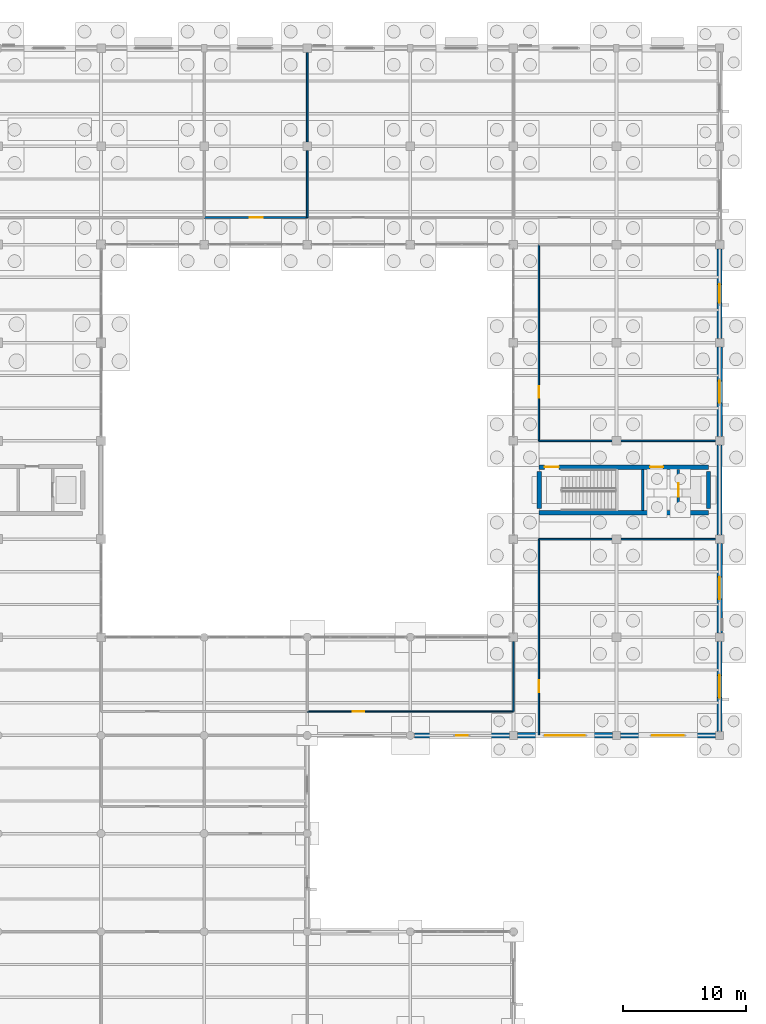
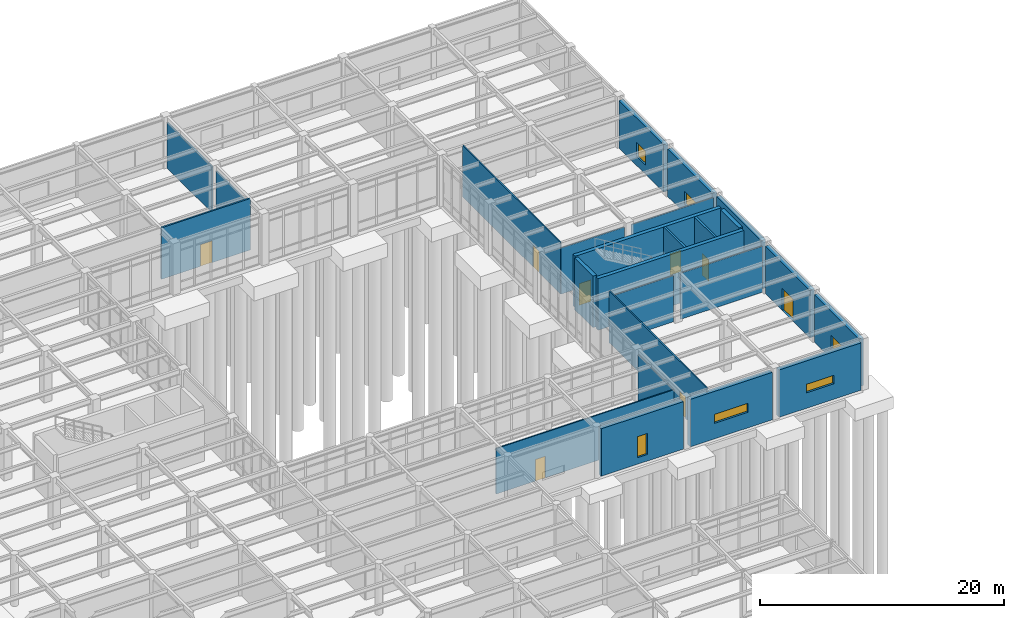
# One storey, part 85 of 138: 25 walls, 8 doors, 6 windows, 14 openings.
"""IFC4 building model written with IfcOpenShell, lengths in metres."""

from ifc_helpers import new_model, si_unit, direction, frame, frame_2d, origin, place, context, subcontext, project, spatial, rectangle, extrude, material, layer, layer_set, type_object, element, fill, save


model = new_model("IFC4")

# Units and contexts
model_context = context("Model", 3, precision=1e-05, world=origin(), true_north=direction((0.0, 1.0)))
body_context = subcontext(model_context, "Body", "Model", "MODEL_VIEW")
ifc_project = project(units=[si_unit("LENGTHUNIT", "METRE"), si_unit("AREAUNIT", "SQUARE_METRE"), si_unit("VOLUMEUNIT", "CUBIC_METRE"), si_unit("PLANEANGLEUNIT", "RADIAN"), si_unit("MASSUNIT", "GRAM", prefix="KILO")], contexts=[model_context])

# Site, building, storey
site_placement = place(None, origin())
site = spatial("IfcSite", under=ifc_project, at=site_placement, CompositionType="ELEMENT")
building_placement = place(site_placement, origin())
building = spatial("IfcBuilding", under=site, at=building_placement, Name="Kranzveld Transit Interchange", CompositionType="ELEMENT")
storey_placement = place(building_placement, origin())
storey = spatial("IfcBuildingStorey", under=building, at=storey_placement, Name="L00", CompositionType="ELEMENT", Elevation=0.0)

# Wall
ifc_material_1 = material(Name="Concrete C40/50", Category="concrete")
ifc_layer_1 = layer(ifc_material_1, 0.35009765625)
ifc_layer_set_1 = layer_set([ifc_layer_1], Name="Concrete C40/50")
wall_type_1 = type_object("IfcWallType", Name="Core Shear Wall RC 350 C40/50", PredefinedType="SHEAR", material=ifc_layer_set_1)
wall_1_placement = place(storey_placement, frame((153.300048828125, 74.139892578125, 0.0), z_axis=(0.0, 0.0, 1.0), x_axis=(1.0, 0.0, 0.0)))
element("IfcWall", 1, at=wall_1_placement, inside=storey, type_object=wall_type_1, Name="L00 Community East Core C4 Shear Wall S", PredefinedType="SHEAR", context=body_context, shape_type="SweptSolid", body=[
    extrude(rectangle(XDim=13.800048828125, YDim=0.35009765625, at=frame_2d((6.89990234375, 0.0))), origin(), (0.0, 0.0, 1.0), 5.14990234375),
])

# Wall, openings, doors
wall_2_placement = place(storey_placement, frame((153.300048828125, 77.860107421875, 0.0), z_axis=(0.0, 0.0, 1.0), x_axis=(1.0, 0.0, 0.0)))
wall_2 = element("IfcWall", 2, at=wall_2_placement, inside=storey, type_object=wall_type_1, Name="L00 Community East Core C4 Shear Wall N", PredefinedType="SHEAR", context=body_context, shape_type="SweptSolid", body=[
    extrude(rectangle(XDim=13.800048828125, YDim=0.35009765625, at=frame_2d((6.89990234375, 0.0))), origin(), (0.0, 0.0, 1.0), 5.14990234375),
])
opening_1_placement = place(wall_2_placement, frame((0.449951171875, 0.0, 0.0), z_axis=(0.0, 0.0, 1.0), x_axis=(1.0, 0.0, 0.0)))
opening_1 = element("IfcOpeningElement", 3, at=opening_1_placement, cuts=wall_2, Name="Opening D-ST-C4-L00", PredefinedType="OPENING", context=body_context, shape_type="SweptSolid", body=[
    extrude(rectangle(XDim=1.14990234375, YDim=2.14990234375, at=frame_2d((0.574951171875, 1.074951171875))), frame((0.0, 0.18505859375, 0.0), z_axis=(0.0, -1.0, 0.0), x_axis=(1.0, 0.0, 0.0)), (0.0, 0.0, 1.0), 0.3701171875),
])
opening_2_placement = place(wall_2_placement, frame((9.050048828125, 0.0, 0.0), z_axis=(0.0, 0.0, 1.0), x_axis=(1.0, 0.0, 0.0)))
opening_2 = element("IfcOpeningElement", 4, at=opening_2_placement, cuts=wall_2, Name="Opening D-LB-C4-L00", PredefinedType="OPENING", context=body_context, shape_type="SweptSolid", body=[
    extrude(rectangle(XDim=1.050048828125, YDim=2.14990234375, at=frame_2d((0.52490234375, 1.074951171875))), frame((0.0, 0.18505859375, 0.0), z_axis=(0.0, -1.0, 0.0), x_axis=(1.0, 0.0, 0.0)), (0.0, 0.0, 1.0), 0.3701171875),
])
ifc_material_2 = material(Name="Steel S355JR", Category="steel")
door_type_1 = type_object("IfcDoorType", Name="Lift Lobby Fire Door 1050x2150 FD120S", OperationType="NOTDEFINED", PredefinedType="DOOR", material=ifc_material_2)
door_1_placement = place(opening_2_placement, origin())
door_1 = element("IfcDoor", 5, at=door_1_placement, inside=storey, type_object=door_type_1, Name="L00 Community East Core C4 Lift Protected Lobby Door", OperationType="SINGLE_SWING_RIGHT", OverallHeight=2.14990234375, OverallWidth=1.050048828125, PredefinedType="DOOR", context=body_context, shape_type="SweptSolid", body=[
    extrude(rectangle(XDim=1.050048828125, YDim=2.14990234375, at=frame_2d((0.52490234375, 1.074951171875))), frame((0.0, 0.02490234375, 0.0), z_axis=(0.0, -1.0, 0.0), x_axis=(1.0, 0.0, 0.0)), (0.0, 0.0, 1.0), 0.050048828125),
])
fill(opening_2, door_1)
ifc_material_3 = material(Name="Steel S355JR", Category="steel")
door_type_2 = type_object("IfcDoorType", Name="Stair Core Fire Door 1150x2150 FD120S", OperationType="NOTDEFINED", PredefinedType="DOOR", material=ifc_material_3)
door_2_placement = place(opening_1_placement, origin())
door_2 = element("IfcDoor", 6, at=door_2_placement, inside=storey, type_object=door_type_2, Name="L00 ST-V4B Protected Stair Door", OperationType="SINGLE_SWING_RIGHT", OverallHeight=2.14990234375, OverallWidth=1.14990234375, PredefinedType="DOOR", context=body_context, shape_type="SweptSolid", body=[
    extrude(rectangle(XDim=1.14990234375, YDim=2.14990234375, at=frame_2d((0.574951171875, 1.074951171875))), frame((0.0, 0.02490234375, 0.0), z_axis=(0.0, -1.0, 0.0), x_axis=(1.0, 0.0, 0.0)), (0.0, 0.0, 1.0), 0.050048828125),
])
fill(opening_1, door_2)

# Walls
for number, where, z_axis, x_axis, name in (
    (7, (153.300048828125, 74.489990234375, 0.0), (0.0, 0.0, 1.0), (0.0, 1.0, 0.0), "L00 Community East Core C4 Shear Wall W"),
    (8, (167.10009765625, 74.489990234375, 0.0), (0.0, 0.0, 1.0), (0.0, 1.0, 0.0), "L00 Community East Core C4 Shear Wall E"),
):
    element("IfcWall", number, at=place(storey_placement, frame(where, z_axis=z_axis, x_axis=x_axis)), inside=storey, type_object=wall_type_1, Name=name, PredefinedType="SHEAR", context=body_context, shape_type="SweptSolid", body=[
        extrude(rectangle(XDim=3.02001953125, YDim=0.35009765625, at=frame_2d((1.510009765625, 0.0))), origin(), (0.0, 0.0, 1.0), 5.14990234375),
    ])

# Wall, opening, window
ifc_material_4 = material(Name="Dark Pretoria clinker clay plinth brick, 40 MPa", Category="masonry")
ifc_layer_2 = layer(ifc_material_4, 0.409912109375)
ifc_layer_set_2 = layer_set([ifc_layer_2], Name="Dark Pretoria clinker clay plinth brick, 40 MPa")
wall_type_2 = type_object("IfcWallType", Name="Exterior Arcade Wall Dark Clinker 410", PredefinedType="SOLIDWALL", material=ifc_layer_set_2)
wall_3_placement = place(storey_placement, frame((168.0, 56.324951171875, 0.0), z_axis=(0.0, 0.0, 1.0), x_axis=(0.0, 1.0, 0.0)))
wall_3 = element("IfcWall", 9, at=wall_3_placement, inside=storey, type_object=wall_type_2, Name="L00 Clinker Facade Wall 21/H-21/J", PredefinedType="SOLIDWALL", context=body_context, shape_type="SweptSolid", body=[
    extrude(rectangle(XDim=7.324951171875, YDim=0.409912109375, at=frame_2d((3.66259765625, 0.0))), origin(), (0.0, 0.0, 1.0), 4.747314453125),
])
opening_3_placement = place(wall_3_placement, frame((2.762451171875, 0.0, 0.89990234375), z_axis=(0.0, 0.0, 1.0), x_axis=(1.0, 0.0, 0.0)))
opening_3 = element("IfcOpeningElement", 10, at=opening_3_placement, cuts=wall_3, Name="Opening W-11", PredefinedType="OPENING", context=body_context, shape_type="SweptSolid", body=[
    extrude(rectangle(XDim=1.800048828125, YDim=1.449951171875, at=frame_2d((0.89990234375, 0.72509765625))), frame((0.0, 0.21484375, 0.0), z_axis=(0.0, -1.0, 0.0), x_axis=(1.0, 0.0, 0.0)), (0.0, 0.0, 1.0), 0.429931640625),
])
ifc_material_5 = material(Name="Solar-control double glazing", Category="glass")
window_type_1 = type_object("IfcWindowType", Name="Window Office Double 1800x1450", PartitioningType="DOUBLE_PANEL_VERTICAL", PredefinedType="WINDOW", material=ifc_material_5)
window_1_placement = place(opening_3_placement, origin())
window_1 = element("IfcWindow", 11, at=window_1_placement, inside=storey, type_object=window_type_1, Name="L00 Facade Window 21/H", OverallHeight=1.449951171875, OverallWidth=1.800048828125, PartitioningType="DOUBLE_PANEL_VERTICAL", PredefinedType="WINDOW", context=body_context, shape_type="SweptSolid", body=[
    extrude(rectangle(XDim=1.800048828125, YDim=1.449951171875, at=frame_2d((0.89990234375, 0.72509765625))), frame((0.0, 0.030029296875, 0.0), z_axis=(0.0, -1.0, 0.0), x_axis=(1.0, 0.0, 0.0)), (0.0, 0.0, 1.0), 0.06005859375),
])
fill(opening_3, window_1)

# Wall
wall_4_placement = place(storey_placement, frame((168.0, 72.35009765625, 0.0), z_axis=(0.0, 0.0, 1.0), x_axis=(0.0, 1.0, 0.0)))
element("IfcWall", 12, at=wall_4_placement, inside=storey, type_object=wall_type_2, Name="L00 Clinker Facade Wall 21/K-21/L", PredefinedType="SOLIDWALL", context=body_context, shape_type="SweptSolid", body=[
    extrude(rectangle(XDim=7.2998046875, YDim=0.409912109375, at=frame_2d((3.64990234375, 0.0))), origin(), (0.0, 0.0, 1.0), 4.85009765625),
])

# Wall, opening, window
wall_5_placement = place(storey_placement, frame((168.0, 88.35009765625, 0.0), z_axis=(0.0, 0.0, 1.0), x_axis=(0.0, 1.0, 0.0)))
wall_5 = element("IfcWall", 13, at=wall_5_placement, inside=storey, type_object=wall_type_2, Name="L00 Clinker Facade Wall 21/M-21/N", PredefinedType="SOLIDWALL", context=body_context, shape_type="SweptSolid", body=[
    extrude(rectangle(XDim=7.2998046875, YDim=0.409912109375, at=frame_2d((3.64990234375, 0.0))), origin(), (0.0, 0.0, 1.0), 4.747314453125),
])
opening_4_placement = place(wall_5_placement, frame((2.89990234375, 0.0, 0.89990234375), z_axis=(0.0, 0.0, 1.0), x_axis=(1.0, 0.0, 0.0)))
opening_4 = element("IfcOpeningElement", 14, at=opening_4_placement, cuts=wall_5, Name="Opening W-13", PredefinedType="OPENING", context=body_context, shape_type="SweptSolid", body=[
    extrude(rectangle(XDim=1.5, YDim=1.39990234375, at=frame_2d((0.75, 0.699951171875))), frame((0.0, 0.21484375, 0.0), z_axis=(0.0, -1.0, 0.0), x_axis=(1.0, 0.0, 0.0)), (0.0, 0.0, 1.0), 0.429931640625),
])
ifc_material_6 = material(Name="Solar-control double glazing", Category="glass")
window_type_2 = type_object("IfcWindowType", Name="Window Studio Single 1500x1400", PartitioningType="SINGLE_PANEL", PredefinedType="WINDOW", material=ifc_material_6)
window_2_placement = place(opening_4_placement, origin())
window_2 = element("IfcWindow", 15, at=window_2_placement, inside=storey, type_object=window_type_2, Name="L00 Facade Window 21/M", OverallHeight=1.39990234375, OverallWidth=1.5, PartitioningType="SINGLE_PANEL", PredefinedType="WINDOW", context=body_context, shape_type="SweptSolid", body=[
    extrude(rectangle(XDim=1.5, YDim=1.39990234375, at=frame_2d((0.75, 0.699951171875))), frame((0.0, 0.030029296875, 0.0), z_axis=(0.0, -1.0, 0.0), x_axis=(1.0, 0.0, 0.0)), (0.0, 0.0, 1.0), 0.06005859375),
])
fill(opening_4, window_2)

wall_6_placement = place(storey_placement, frame((159.925048828125, 56.0, 0.0), z_axis=(0.0, 0.0, 1.0), x_axis=(1.0, 0.0, 0.0)))
wall_6 = element("IfcWall", 16, at=wall_6_placement, inside=storey, type_object=wall_type_2, Name="L00 Clinker Facade Wall 20/H-21/H", PredefinedType="SOLIDWALL", context=body_context, shape_type="SweptSolid", body=[
    extrude(rectangle(XDim=7.75, YDim=0.409912109375, at=frame_2d((3.875, 0.0))), origin(), (0.0, 0.0, 1.0), 4.740478515625),
])
opening_5_placement = place(wall_6_placement, frame((2.574951171875, 0.0, 1.550048828125), z_axis=(0.0, 0.0, 1.0), x_axis=(1.0, 0.0, 0.0)))
opening_5 = element("IfcOpeningElement", 17, at=opening_5_placement, cuts=wall_6, Name="Opening W-15", PredefinedType="OPENING", context=body_context, shape_type="SweptSolid", body=[
    extrude(rectangle(XDim=2.60009765625, YDim=0.85009765625, at=frame_2d((1.300048828125, 0.425048828125))), frame((0.0, 0.21484375, 0.0), z_axis=(0.0, -1.0, 0.0), x_axis=(1.0, 0.0, 0.0)), (0.0, 0.0, 1.0), 0.429931640625),
])
ifc_material_7 = material(Name="Solar-control double glazing", Category="glass")
window_type_3 = type_object("IfcWindowType", Name="Window Clerestory 2600x850", PartitioningType="DOUBLE_PANEL_HORIZONTAL", PredefinedType="WINDOW", material=ifc_material_7)
window_3_placement = place(opening_5_placement, origin())
window_3 = element("IfcWindow", 18, at=window_3_placement, inside=storey, type_object=window_type_3, Name="L00 Facade Window 20/H", OverallHeight=0.85009765625, OverallWidth=2.60009765625, PartitioningType="DOUBLE_PANEL_HORIZONTAL", PredefinedType="WINDOW", context=body_context, shape_type="SweptSolid", body=[
    extrude(rectangle(XDim=2.60009765625, YDim=0.85009765625, at=frame_2d((1.300048828125, 0.425048828125))), frame((0.0, 0.030029296875, 0.0), z_axis=(0.0, -1.0, 0.0), x_axis=(1.0, 0.0, 0.0)), (0.0, 0.0, 1.0), 0.06005859375),
])
fill(opening_5, window_3)

wall_7_placement = place(storey_placement, frame((143.125, 56.0, 0.0), z_axis=(0.0, 0.0, 1.0), x_axis=(1.0, 0.0, 0.0)))
wall_7 = element("IfcWall", 19, at=wall_7_placement, inside=storey, type_object=wall_type_2, Name="L00 Clinker Facade Wall 18/H-19/H", PredefinedType="SOLIDWALL", context=body_context, shape_type="SweptSolid", body=[
    extrude(rectangle(XDim=7.75, YDim=0.409912109375, at=frame_2d((3.875, 0.0))), origin(), (0.0, 0.0, 1.0), 4.740478515625),
])
opening_6_placement = place(wall_7_placement, frame((3.39990234375, 0.0, 0.64990234375), z_axis=(0.0, 0.0, 1.0), x_axis=(1.0, 0.0, 0.0)))
opening_6 = element("IfcOpeningElement", 20, at=opening_6_placement, cuts=wall_7, Name="Opening W-17", PredefinedType="OPENING", context=body_context, shape_type="SweptSolid", body=[
    extrude(rectangle(XDim=0.949951171875, YDim=2.10009765625, at=frame_2d((0.47509765625, 1.050048828125))), frame((0.0, 0.21484375, 0.0), z_axis=(0.0, -1.0, 0.0), x_axis=(1.0, 0.0, 0.0)), (0.0, 0.0, 1.0), 0.429931640625),
])
ifc_material_8 = material(Name="Solar-control double glazing", Category="glass")
window_type_4 = type_object("IfcWindowType", Name="Window Ladder Slot 950x2100", PartitioningType="SINGLE_PANEL", PredefinedType="WINDOW", material=ifc_material_8)
window_4_placement = place(opening_6_placement, origin())
window_4 = element("IfcWindow", 21, at=window_4_placement, inside=storey, type_object=window_type_4, Name="L00 Facade Window 18/H", OverallHeight=2.10009765625, OverallWidth=0.949951171875, PartitioningType="SINGLE_PANEL", PredefinedType="WINDOW", context=body_context, shape_type="SweptSolid", body=[
    extrude(rectangle(XDim=0.949951171875, YDim=2.10009765625, at=frame_2d((0.47509765625, 1.050048828125))), frame((0.0, 0.030029296875, 0.0), z_axis=(0.0, -1.0, 0.0), x_axis=(1.0, 0.0, 0.0)), (0.0, 0.0, 1.0), 0.06005859375),
])
fill(opening_6, window_4)

# Wall, opening, door
ifc_material_9 = material(Name="Dark Pretoria clinker clay plinth brick, 40 MPa", Category="masonry")
ifc_layer_3 = layer(ifc_material_9, 0.43994140625)
ifc_layer_set_3 = layer_set([ifc_layer_3], Name="Dark Pretoria clinker clay plinth brick, 40 MPa")
wall_type_3 = type_object("IfcWallType", Name="Exterior Plinth Wall Dark Clinker 440", PredefinedType="SOLIDWALL", material=ifc_layer_set_3)
wall_8_placement = place(storey_placement, frame((168.0, 64.35009765625, 0.0), z_axis=(0.0, 0.0, 1.0), x_axis=(0.0, 1.0, 0.0)))
wall_8 = element("IfcWall", 22, at=wall_8_placement, inside=storey, type_object=wall_type_3, Name="L00 Clinker Facade Wall 21/J-21/K", PredefinedType="SOLIDWALL", context=body_context, shape_type="SweptSolid", body=[
    extrude(rectangle(XDim=7.2998046875, YDim=0.43994140625, at=frame_2d((3.64990234375, 0.0))), origin(), (0.0, 0.0, 1.0), 4.747314453125),
])
opening_7_placement = place(wall_8_placement, frame((4.550048828125, 0.0, 0.0), z_axis=(0.0, 0.0, 1.0), x_axis=(-1.0, 0.0, 0.0)))
opening_7 = element("IfcOpeningElement", 23, at=opening_7_placement, cuts=wall_8, Name="Opening ED-00-10", PredefinedType="OPENING", context=body_context, shape_type="SweptSolid", body=[
    extrude(rectangle(XDim=1.800048828125, YDim=2.199951171875, at=frame_2d((0.89990234375, 1.10009765625))), frame((0.0, 0.22998046875, 0.0), z_axis=(0.0, -1.0, 0.0), x_axis=(1.0, 0.0, 0.0)), (0.0, 0.0, 1.0), 0.4599609375),
])
ifc_material_10 = material(Name="Bronze-anodised thermally broken aluminium", Category="aluminium")
door_type_3 = type_object("IfcDoorType", Name="Final Exit Double Fire Door 1800x2200 FD60S", OperationType="NOTDEFINED", PredefinedType="DOOR", material=ifc_material_10)
door_3_placement = place(opening_7_placement, origin())
door_3 = element("IfcDoor", 24, at=door_3_placement, inside=storey, type_object=door_type_3, Name="L00 Entrance/Exit Door 21/J", OperationType="DOUBLE_DOOR_SINGLE_SWING", OverallHeight=2.199951171875, OverallWidth=1.800048828125, PredefinedType="DOOR", context=body_context, shape_type="SweptSolid", body=[
    extrude(rectangle(XDim=1.800048828125, YDim=2.199951171875, at=frame_2d((0.89990234375, 1.10009765625))), frame((0.0, 0.02490234375, 0.0), z_axis=(0.0, -1.0, 0.0), x_axis=(1.0, 0.0, 0.0)), (0.0, 0.0, 1.0), 0.050048828125),
])
fill(opening_7, door_3)

# Wall, opening, window
wall_9_placement = place(storey_placement, frame((168.0, 80.35009765625, 0.0), z_axis=(0.0, 0.0, 1.0), x_axis=(0.0, 1.0, 0.0)))
wall_9 = element("IfcWall", 25, at=wall_9_placement, inside=storey, type_object=wall_type_3, Name="L00 Clinker Facade Wall 21/L-21/M", PredefinedType="SOLIDWALL", context=body_context, shape_type="SweptSolid", body=[
    extrude(rectangle(XDim=7.2998046875, YDim=0.43994140625, at=frame_2d((3.64990234375, 0.0))), origin(), (0.0, 0.0, 1.0), 4.747314453125),
])
opening_8_placement = place(wall_9_placement, frame((2.75, 0.0, 0.89990234375), z_axis=(0.0, 0.0, 1.0), x_axis=(1.0, 0.0, 0.0)))
opening_8 = element("IfcOpeningElement", 26, at=opening_8_placement, cuts=wall_9, Name="Opening W-12", PredefinedType="OPENING", context=body_context, shape_type="SweptSolid", body=[
    extrude(rectangle(XDim=1.800048828125, YDim=1.300048828125, at=frame_2d((0.89990234375, 0.64990234375))), frame((0.0, 0.22998046875, 0.0), z_axis=(0.0, -1.0, 0.0), x_axis=(1.0, 0.0, 0.0)), (0.0, 0.0, 1.0), 0.4599609375),
])
ifc_material_11 = material(Name="Solar-control double glazing", Category="glass")
window_type_5 = type_object("IfcWindowType", Name="Window Studio Double 1800x1300", PartitioningType="DOUBLE_PANEL_VERTICAL", PredefinedType="WINDOW", material=ifc_material_11)
window_5_placement = place(opening_8_placement, origin())
window_5 = element("IfcWindow", 27, at=window_5_placement, inside=storey, type_object=window_type_5, Name="L00 Facade Window 21/L", OverallHeight=1.300048828125, OverallWidth=1.800048828125, PartitioningType="DOUBLE_PANEL_VERTICAL", PredefinedType="WINDOW", context=body_context, shape_type="SweptSolid", body=[
    extrude(rectangle(XDim=1.800048828125, YDim=1.300048828125, at=frame_2d((0.89990234375, 0.64990234375))), frame((0.0, 0.030029296875, 0.0), z_axis=(0.0, -1.0, 0.0), x_axis=(1.0, 0.0, 0.0)), (0.0, 0.0, 1.0), 0.06005859375),
])
fill(opening_8, window_5)

wall_10_placement = place(storey_placement, frame((151.52490234375, 56.0, 0.0), z_axis=(0.0, 0.0, 1.0), x_axis=(1.0, 0.0, 0.0)))
wall_10 = element("IfcWall", 28, at=wall_10_placement, inside=storey, type_object=wall_type_3, Name="L00 Clinker Facade Wall 19/H-20/H", PredefinedType="SOLIDWALL", context=body_context, shape_type="SweptSolid", body=[
    extrude(rectangle(XDim=7.75, YDim=0.43994140625, at=frame_2d((3.875, 0.0))), origin(), (0.0, 0.0, 1.0), 4.740478515625),
])
opening_9_placement = place(wall_10_placement, frame((2.27490234375, 0.0, 1.550048828125), z_axis=(0.0, 0.0, 1.0), x_axis=(1.0, 0.0, 0.0)))
opening_9 = element("IfcOpeningElement", 29, at=opening_9_placement, cuts=wall_10, Name="Opening W-14", PredefinedType="OPENING", context=body_context, shape_type="SweptSolid", body=[
    extrude(rectangle(XDim=3.199951171875, YDim=0.89990234375, at=frame_2d((1.60009765625, 0.449951171875))), frame((0.0, 0.22998046875, 0.0), z_axis=(0.0, -1.0, 0.0), x_axis=(1.0, 0.0, 0.0)), (0.0, 0.0, 1.0), 0.4599609375),
])
ifc_material_12 = material(Name="Solar-control double glazing", Category="glass")
window_type_6 = type_object("IfcWindowType", Name="Window Clerestory 3200x900", PartitioningType="TRIPLE_PANEL_HORIZONTAL", PredefinedType="WINDOW", material=ifc_material_12)
window_6_placement = place(opening_9_placement, origin())
window_6 = element("IfcWindow", 30, at=window_6_placement, inside=storey, type_object=window_type_6, Name="L00 Facade Window 19/H", OverallHeight=0.89990234375, OverallWidth=3.199951171875, PartitioningType="TRIPLE_PANEL_HORIZONTAL", PredefinedType="WINDOW", context=body_context, shape_type="SweptSolid", body=[
    extrude(rectangle(XDim=3.199951171875, YDim=0.89990234375, at=frame_2d((1.60009765625, 0.449951171875))), frame((0.0, 0.030029296875, 0.0), z_axis=(0.0, -1.0, 0.0), x_axis=(1.0, 0.0, 0.0)), (0.0, 0.0, 1.0), 0.06005859375),
])
fill(opening_9, window_6)

# Wall, opening, door
ifc_material_13 = material(Name="Clay masonry unit wall, 20 MPa", Category="masonry")
ifc_layer_4 = layer(ifc_material_13, 0.14990234375)
ifc_layer_set_4 = layer_set([ifc_layer_4], Name="Clay masonry unit wall, 20 MPa")
wall_type_4 = type_object("IfcWallType", Name="Fire Rated Partition Wall 150 EI60", PredefinedType="PARTITIONING", material=ifc_layer_set_4)
wall_11_placement = place(storey_placement, frame((126.0, 98.199951171875, 0.0), z_axis=(0.0, 0.0, 1.0), x_axis=(1.0, 0.0, 0.0)))
wall_11 = element("IfcWall", 31, at=wall_11_placement, inside=storey, type_object=wall_type_4, Name="L00 Partition IW-L00-L00V4N-FRT-024-0", PredefinedType="PARTITIONING", context=body_context, shape_type="SweptSolid", body=[
    extrude(rectangle(XDim=8.39990234375, YDim=0.14990234375, at=frame_2d((4.199951171875, 0.0))), origin(), (0.0, 0.0, 1.0), 5.14990234375),
])
opening_10_placement = place(wall_11_placement, frame((3.699951171875, 0.0, 0.0), z_axis=(0.0, 0.0, 1.0), x_axis=(1.0, 0.0, 0.0)))
opening_10 = element("IfcOpeningElement", 32, at=opening_10_placement, cuts=wall_11, Name="Opening D-024", PredefinedType="OPENING", context=body_context, shape_type="SweptSolid", body=[
    extrude(rectangle(XDim=1.080078125, YDim=2.179931640625, at=frame_2d((0.5400390625, 1.08984375))), frame((0.0, 0.0849609375, 0.0), z_axis=(0.0, -1.0, 0.0), x_axis=(1.0, 0.0, 0.0)), (0.0, 0.0, 1.0), 0.169921875),
])
ifc_material_14 = material(Name="Steel S355JR", Category="steel")
door_type_4 = type_object("IfcDoorType", Name="Fire Rated Plant Door 1080x2180 FD60S", OperationType="NOTDEFINED", PredefinedType="DOOR", material=ifc_material_14)
door_4_placement = place(opening_10_placement, origin())
door_4 = element("IfcDoor", 33, at=door_4_placement, inside=storey, type_object=door_type_4, Name="L00 Interior Door D-024", OperationType="SINGLE_SWING_RIGHT", OverallHeight=2.179931640625, OverallWidth=1.080078125, PredefinedType="DOOR", context=body_context, shape_type="SweptSolid", body=[
    extrude(rectangle(XDim=1.080078125, YDim=2.179931640625, at=frame_2d((0.5400390625, 1.08984375))), frame((0.0, 0.02490234375, 0.0), z_axis=(0.0, -1.0, 0.0), x_axis=(1.0, 0.0, 0.0)), (0.0, 0.0, 1.0), 0.050048828125),
])
fill(opening_10, door_4)

# Walls
wall_12_placement = place(storey_placement, frame((134.39990234375, 98.199951171875, 0.0), z_axis=(0.0, 0.0, 1.0), x_axis=(0.0, 1.0, 0.0)))
element("IfcWall", 34, at=wall_12_placement, inside=storey, type_object=wall_type_4, Name="L00 Partition IW-L00-L00V4N-E-024-0", PredefinedType="PARTITIONING", context=body_context, shape_type="SweptSolid", body=[
    extrude(rectangle(XDim=5.4599609375, YDim=0.14990234375, at=frame_2d((2.72998046875, 0.0))), origin(), (0.0, 0.0, 1.0), 4.54248046875),
])
wall_13_placement = place(storey_placement, frame((134.39990234375, 104.340087890625, 0.0), z_axis=(0.0, 0.0, 1.0), x_axis=(0.0, 1.0, 0.0)))
element("IfcWall", 35, at=wall_13_placement, inside=storey, type_object=wall_type_4, Name="L00 Partition IW-L00-L00V4N-E-024-1", PredefinedType="PARTITIONING", context=body_context, shape_type="SweptSolid", body=[
    extrude(rectangle(XDim=7.31982421875, YDim=0.14990234375, at=frame_2d((3.659912109375, 0.0))), origin(), (0.0, 0.0, 1.0), 4.54248046875),
])

# Wall, opening, door
ifc_material_15 = material(Name="Clay masonry unit wall, 20 MPa", Category="masonry")
ifc_layer_5 = layer(ifc_material_15, 0.125)
ifc_layer_set_5 = layer_set([ifc_layer_5], Name="Clay masonry unit wall, 20 MPa")
wall_type_5 = type_object("IfcWallType", Name="Internal Blockwork Partition 125", PredefinedType="PARTITIONING", material=ifc_layer_set_5)
wall_14_placement = place(storey_placement, frame((153.280029296875, 56.0400390625, 0.0), z_axis=(0.0, 0.0, 1.0), x_axis=(0.0, 1.0, 0.0)))
wall_14 = element("IfcWall", 36, at=wall_14_placement, inside=storey, type_object=wall_type_5, Name="L00 Partition IW-L00-L00V4E-FRT-048-0", PredefinedType="PARTITIONING", context=body_context, shape_type="SweptSolid", body=[
    extrude(rectangle(XDim=15.9599609375, YDim=0.125, at=frame_2d((7.97998046875, 0.0))), origin(), (0.0, 0.0, 1.0), 5.14990234375),
])
opening_11_placement = place(wall_14_placement, frame((4.43994140625, 0.0, 0.0), z_axis=(0.0, 0.0, 1.0), x_axis=(-1.0, 0.0, 0.0)))
opening_11 = element("IfcOpeningElement", 37, at=opening_11_placement, cuts=wall_14, Name="Opening D-048", PredefinedType="OPENING", context=body_context, shape_type="SweptSolid", body=[
    extrude(rectangle(XDim=0.97998046875, YDim=2.14990234375, at=frame_2d((0.489990234375, 1.074951171875))), frame((0.0, 0.072509765625, 0.0), z_axis=(0.0, -1.0, 0.0), x_axis=(1.0, 0.0, 0.0)), (0.0, 0.0, 1.0), 0.14501953125),
])
ifc_material_16 = material(Name="Bronze-anodised thermally broken aluminium", Category="aluminium")
door_type_5 = type_object("IfcDoorType", Name="Retail Back-of-House Door 980x2150", OperationType="NOTDEFINED", PredefinedType="DOOR", material=ifc_material_16)
door_5_placement = place(opening_11_placement, origin())
door_5 = element("IfcDoor", 38, at=door_5_placement, inside=storey, type_object=door_type_5, Name="L00 Interior Door D-048", OperationType="SINGLE_SWING_LEFT", OverallHeight=2.14990234375, OverallWidth=0.97998046875, PredefinedType="DOOR", context=body_context, shape_type="SweptSolid", body=[
    extrude(rectangle(XDim=0.97998046875, YDim=2.14990234375, at=frame_2d((0.489990234375, 1.074951171875))), frame((0.0, 0.02490234375, 0.0), z_axis=(0.0, -1.0, 0.0), x_axis=(1.0, 0.0, 0.0)), (0.0, 0.0, 1.0), 0.050048828125),
])
fill(opening_11, door_5)

# Walls
wall_15_placement = place(storey_placement, frame((153.280029296875, 72.0, 0.0), z_axis=(0.0, 0.0, 1.0), x_axis=(1.0, 0.0, 0.0)))
element("IfcWall", 39, at=wall_15_placement, inside=storey, type_object=wall_type_5, Name="L00 Partition IW-L00-L00V4E-N-048-0", PredefinedType="PARTITIONING", context=body_context, shape_type="SweptSolid", body=[
    extrude(rectangle(XDim=5.97998046875, YDim=0.125, at=frame_2d((2.989990234375, 0.0))), origin(), (0.0, 0.0, 1.0), 4.60546875),
])
wall_16_placement = place(storey_placement, frame((159.93994140625, 72.0, 0.0), z_axis=(0.0, 0.0, 1.0), x_axis=(1.0, 0.0, 0.0)))
element("IfcWall", 40, at=wall_16_placement, inside=storey, type_object=wall_type_5, Name="L00 Partition IW-L00-L00V4E-N-048-1", PredefinedType="PARTITIONING", context=body_context, shape_type="SweptSolid", body=[
    extrude(rectangle(XDim=7.719970703125, YDim=0.125, at=frame_2d((3.85986328125, 0.0))), origin(), (0.0, 0.0, 1.0), 4.60546875),
])

# Wall, opening, door
ifc_material_17 = material(Name="Clay masonry unit wall, 20 MPa", Category="masonry")
ifc_layer_6 = layer(ifc_material_17, 0.114990234375)
ifc_layer_set_6 = layer_set([ifc_layer_6], Name="Clay masonry unit wall, 20 MPa")
wall_type_6 = type_object("IfcWallType", Name="Internal Masonry Partition 115", PredefinedType="PARTITIONING", material=ifc_layer_set_6)
wall_17_placement = place(storey_placement, frame((134.39990234375, 57.949951171875, 0.0), z_axis=(0.0, 0.0, 1.0), x_axis=(1.0, 0.0, 0.0)))
wall_17 = element("IfcWall", 41, at=wall_17_placement, inside=storey, type_object=wall_type_6, Name="L00 Partition IW-L00-L00V4S-FRT-028-0", PredefinedType="PARTITIONING", context=body_context, shape_type="SweptSolid", body=[
    extrude(rectangle(XDim=16.800048828125, YDim=0.114990234375, at=frame_2d((8.39990234375, 0.0))), origin(), (0.0, 0.0, 1.0), 4.54248046875),
])
opening_12_placement = place(wall_17_placement, frame((3.699951171875, 0.0, 0.0), z_axis=(0.0, 0.0, 1.0), x_axis=(1.0, 0.0, 0.0)))
opening_12 = element("IfcOpeningElement", 42, at=opening_12_placement, cuts=wall_17, Name="Opening D-028", PredefinedType="OPENING", context=body_context, shape_type="SweptSolid", body=[
    extrude(rectangle(XDim=0.949951171875, YDim=2.14990234375, at=frame_2d((0.47509765625, 1.074951171875))), frame((0.0, 0.0673828125, 0.0), z_axis=(0.0, -1.0, 0.0), x_axis=(1.0, 0.0, 0.0)), (0.0, 0.0, 1.0), 0.135009765625),
])
ifc_material_18 = material(Name="Bronze-anodised thermally broken aluminium", Category="aluminium")
door_type_6 = type_object("IfcDoorType", Name="Internal Office Door 950x2150", OperationType="NOTDEFINED", PredefinedType="DOOR", material=ifc_material_18)
door_6_placement = place(opening_12_placement, origin())
door_6 = element("IfcDoor", 43, at=door_6_placement, inside=storey, type_object=door_type_6, Name="L00 Interior Door D-028", OperationType="SINGLE_SWING_RIGHT", OverallHeight=2.14990234375, OverallWidth=0.949951171875, PredefinedType="DOOR", context=body_context, shape_type="SweptSolid", body=[
    extrude(rectangle(XDim=0.949951171875, YDim=2.14990234375, at=frame_2d((0.47509765625, 1.074951171875))), frame((0.0, 0.02490234375, 0.0), z_axis=(0.0, -1.0, 0.0), x_axis=(1.0, 0.0, 0.0)), (0.0, 0.0, 1.0), 0.050048828125),
])
fill(opening_12, door_6)

wall_18_placement = place(storey_placement, frame((153.280029296875, 80.0, 0.0), z_axis=(0.0, 0.0, 1.0), x_axis=(0.0, 1.0, 0.0)))
wall_18 = element("IfcWall", 44, at=wall_18_placement, inside=storey, type_object=wall_type_6, Name="L00 Partition IW-L00-L00V4E-FRT-049-0", PredefinedType="PARTITIONING", context=body_context, shape_type="SweptSolid", body=[
    extrude(rectangle(XDim=16.0, YDim=0.114990234375, at=frame_2d((8.0, 0.0))), origin(), (0.0, 0.0, 1.0), 5.14990234375),
])
opening_13_placement = place(wall_18_placement, frame((4.449951171875, 0.0, 0.0), z_axis=(0.0, 0.0, 1.0), x_axis=(-1.0, 0.0, 0.0)))
opening_13 = element("IfcOpeningElement", 45, at=opening_13_placement, cuts=wall_18, Name="Opening D-049", PredefinedType="OPENING", context=body_context, shape_type="SweptSolid", body=[
    extrude(rectangle(XDim=0.949951171875, YDim=2.14990234375, at=frame_2d((0.47509765625, 1.074951171875))), frame((0.0, 0.0673828125, 0.0), z_axis=(0.0, -1.0, 0.0), x_axis=(1.0, 0.0, 0.0)), (0.0, 0.0, 1.0), 0.135009765625),
])
door_7_placement = place(opening_13_placement, origin())
door_7 = element("IfcDoor", 46, at=door_7_placement, inside=storey, type_object=door_type_6, Name="L00 Interior Door D-049", OperationType="SINGLE_SWING_RIGHT", OverallHeight=2.14990234375, OverallWidth=0.949951171875, PredefinedType="DOOR", context=body_context, shape_type="SweptSolid", body=[
    extrude(rectangle(XDim=0.949951171875, YDim=2.14990234375, at=frame_2d((0.47509765625, 1.074951171875))), frame((0.0, 0.02490234375, 0.0), z_axis=(0.0, -1.0, 0.0), x_axis=(1.0, 0.0, 0.0)), (0.0, 0.0, 1.0), 0.050048828125),
])
fill(opening_13, door_7)

# Walls
wall_19_placement = place(storey_placement, frame((151.199951171875, 57.949951171875, 0.0), z_axis=(0.0, 0.0, 1.0), x_axis=(0.0, 1.0, 0.0)))
element("IfcWall", 47, at=wall_19_placement, inside=storey, type_object=wall_type_6, Name="L00 Partition IW-L00-L00V4S-E-028-0", PredefinedType="PARTITIONING", context=body_context, shape_type="SweptSolid", body=[
    extrude(rectangle(XDim=5.7099609375, YDim=0.114990234375, at=frame_2d((2.85498046875, 0.0))), origin(), (0.0, 0.0, 1.0), 4.54248046875),
])
wall_20_placement = place(storey_placement, frame((153.280029296875, 80.0, 0.0), z_axis=(0.0, 0.0, 1.0), x_axis=(1.0, 0.0, 0.0)))
element("IfcWall", 48, at=wall_20_placement, inside=storey, type_object=wall_type_6, Name="L00 Partition IW-L00-L00V4E-S-049-0", PredefinedType="PARTITIONING", context=body_context, shape_type="SweptSolid", body=[
    extrude(rectangle(XDim=5.97998046875, YDim=0.114990234375, at=frame_2d((2.989990234375, 0.0))), origin(), (0.0, 0.0, 1.0), 4.60546875),
])
wall_21_placement = place(storey_placement, frame((159.93994140625, 80.0, 0.0), z_axis=(0.0, 0.0, 1.0), x_axis=(1.0, 0.0, 0.0)))
element("IfcWall", 49, at=wall_21_placement, inside=storey, type_object=wall_type_6, Name="L00 Partition IW-L00-L00V4E-S-049-1", PredefinedType="PARTITIONING", context=body_context, shape_type="SweptSolid", body=[
    extrude(rectangle(XDim=7.719970703125, YDim=0.114990234375, at=frame_2d((3.85986328125, 0.0))), origin(), (0.0, 0.0, 1.0), 4.60546875),
])
ifc_material_19 = material(Name="Concrete C40/50", Category="concrete")
ifc_layer_7 = layer(ifc_material_19, 0.199951171875)
ifc_layer_set_7 = layer_set([ifc_layer_7], Name="Concrete C40/50")
wall_type_7 = type_object("IfcWallType", Name="Lift Shaft Enclosure Wall RC 200 EI120", PredefinedType="SHEAR", material=ifc_layer_set_7)
wall_22_placement = place(storey_placement, frame((161.75, 74.31494140625, 0.0), z_axis=(0.0, 0.0, 1.0), x_axis=(0.0, 1.0, 0.0)))
element("IfcWall", 50, at=wall_22_placement, inside=storey, type_object=wall_type_7, Name="L00 Community East Core C4 Stair-Lobby Dividing Wall", PredefinedType="SHEAR", context=body_context, shape_type="SweptSolid", body=[
    extrude(rectangle(XDim=3.3701171875, YDim=0.199951171875, at=frame_2d((1.68505859375, 0.0))), origin(), (0.0, 0.0, 1.0), 5.14990234375),
])

# Wall, opening, door
wall_23_placement = place(storey_placement, frame((164.64990234375, 74.31494140625, 0.0), z_axis=(0.0, 0.0, 1.0), x_axis=(0.0, 1.0, 0.0)))
wall_23 = element("IfcWall", 51, at=wall_23_placement, inside=storey, type_object=wall_type_7, Name="L00 LF-V4B Shaft Front Wall", PredefinedType="SHEAR", context=body_context, shape_type="SweptSolid", body=[
    extrude(rectangle(XDim=3.3701171875, YDim=0.199951171875, at=frame_2d((1.68505859375, 0.0))), origin(), (0.0, 0.0, 1.0), 5.14990234375),
])
opening_14_placement = place(wall_23_placement, frame((1.135009765625, 0.0, 0.0), z_axis=(0.0, 0.0, 1.0), x_axis=(1.0, 0.0, 0.0)))
opening_14 = element("IfcOpeningElement", 52, at=opening_14_placement, cuts=wall_23, Name="Opening LD-LF-V4B-L00", PredefinedType="OPENING", context=body_context, shape_type="SweptSolid", body=[
    extrude(rectangle(XDim=1.10009765625, YDim=2.14990234375, at=frame_2d((0.550048828125, 1.074951171875))), frame((0.0, 0.10986328125, 0.0), z_axis=(0.0, -1.0, 0.0), x_axis=(1.0, 0.0, 0.0)), (0.0, 0.0, 1.0), 0.219970703125),
])
ifc_material_20 = material(Name="Steel S355JR", Category="steel")
door_type_7 = type_object("IfcDoorType", Name="Lift Landing Sliding Door 1100x2150 FD120S", OperationType="NOTDEFINED", PredefinedType="DOOR", material=ifc_material_20)
door_8_placement = place(opening_14_placement, origin())
door_8 = element("IfcDoor", 53, at=door_8_placement, inside=storey, type_object=door_type_7, Name="L00 LF-V4B Sliding Landing Door", OperationType="DOUBLE_DOOR_SLIDING", OverallHeight=2.14990234375, OverallWidth=1.10009765625, PredefinedType="DOOR", context=body_context, shape_type="SweptSolid", body=[
    extrude(rectangle(XDim=1.10009765625, YDim=2.14990234375, at=frame_2d((0.550048828125, 1.074951171875))), frame((0.0, 0.02490234375, 0.0), z_axis=(0.0, -1.0, 0.0), x_axis=(1.0, 0.0, 0.0)), (0.0, 0.0, 1.0), 0.050048828125),
])
fill(opening_14, door_8)

save(model, "model.ifc")
